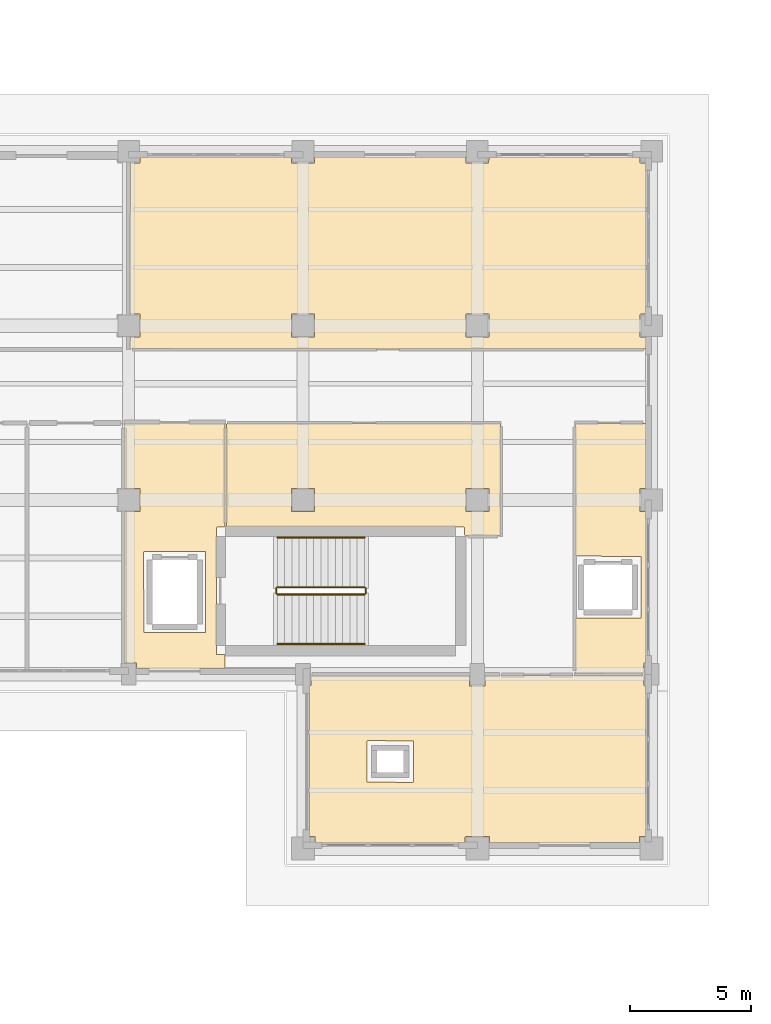
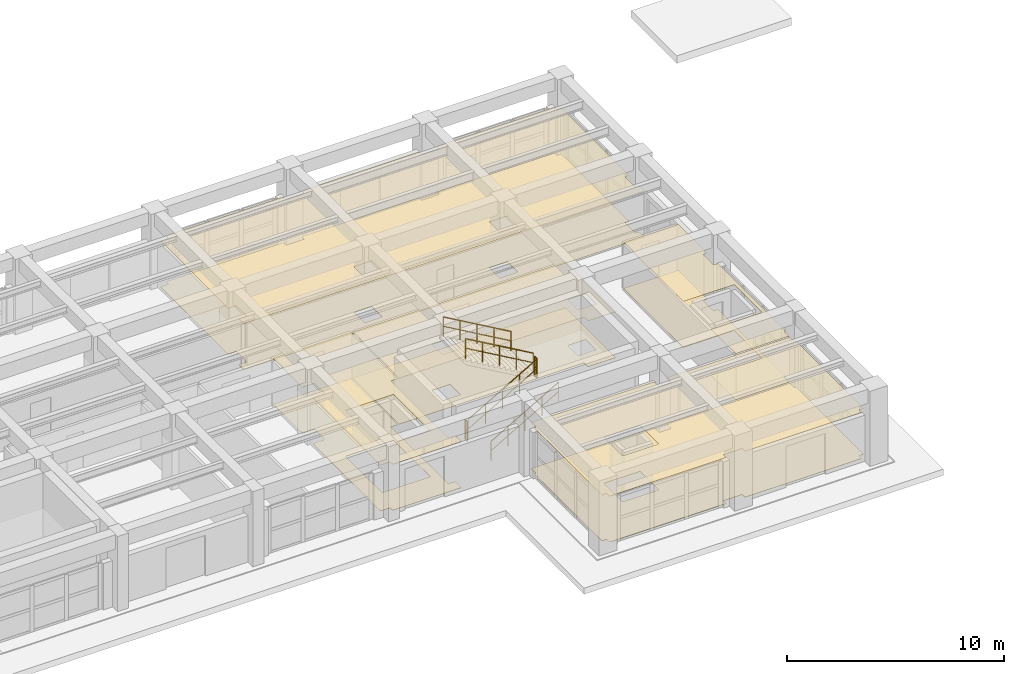
# One storey, part 64 of 64: 10 coverings, 6 railings.
"""IFC4 building model written with IfcOpenShell, lengths in metres."""

from ifc_helpers import new_model, si_unit, direction, frame, origin, origin_2d, place, context, subcontext, project, spatial, polyline, circle, outline, extrude, material, layer, layer_set, type_object, element, save


model = new_model("IFC4")

# Units and contexts
model_context = context("Model", 3, precision=1e-05, world=origin(), true_north=direction((0.0, 1.0)))
body_context = subcontext(model_context, "Body", "Model", "MODEL_VIEW")
ifc_project = project(units=[si_unit("LENGTHUNIT", "METRE"), si_unit("AREAUNIT", "SQUARE_METRE"), si_unit("VOLUMEUNIT", "CUBIC_METRE"), si_unit("PLANEANGLEUNIT", "RADIAN"), si_unit("MASSUNIT", "GRAM", prefix="KILO")], contexts=[model_context])

# Site, building, storey
site_placement = place(None, origin())
site = spatial("IfcSite", under=ifc_project, at=site_placement, CompositionType="ELEMENT")
building_placement = place(site_placement, origin())
building = spatial("IfcBuilding", under=site, at=building_placement, Name="Solenvale Faculty of Natural Sciences", CompositionType="ELEMENT")
storey_placement = place(building_placement, origin())
storey = spatial("IfcBuildingStorey", under=building, at=storey_placement, Name="L00", CompositionType="ELEMENT", Elevation=0.0)

# Coverings
ifc_material_1 = material(Name="Acoustic mineral-timber ceiling", Category="wood")
ifc_layer_1 = layer(ifc_material_1, 0.02490234375)
ifc_layer_set_1 = layer_set([ifc_layer_1], Name="Acoustic mineral-timber ceiling")
covering_type_1 = type_object("IfcCoveringType", Name="COV-CEIL-AC25", PredefinedType="CEILING", material=ifc_layer_set_1)
covering_1_placement = place(storey_placement, frame((0.0, 0.0, 2.574951171875)))
element("IfcCovering", 1, at=covering_1_placement, inside=storey, type_object=covering_type_1, Name="L00 Firefighting Lobby C5 Acoustic Ceiling", PredefinedType="CEILING", context=body_context, shape_type="SweptSolid", body=[
    extrude(outline(polyline([(133.580078125, 99.7099609375), (133.552978515625, 99.679931640625), (133.2451171875, 99.679931640625), (133.219970703125, 99.64990234375), (133.219970703125, 94.447998046875), (133.24609375, 94.419921875), (133.550048828125, 94.419921875), (133.575927734375, 94.404052734375), (133.574951171875, 93.85302734375), (133.550048828125, 93.840087890625), (129.951904296875, 93.840087890625), (129.925048828125, 93.866943359375), (129.9189453125, 94.073974609375), (129.43310546875, 94.080078125), (129.419921875, 94.10498046875), (129.419921875, 100.298095703125), (129.449951171875, 100.324951171875), (130.072998046875, 100.3291015625), (130.074951171875, 101.263916015625), (130.06396484375, 101.27490234375), (129.447021484375, 101.27490234375), (129.4208984375, 101.299072265625), (129.419921875, 103.949951171875), (129.428955078125, 103.970947265625), (129.449951171875, 103.97998046875), (133.550048828125, 103.97998046875), (133.571044921875, 103.970947265625), (133.580078125, 103.949951171875), (133.580078125, 99.7099609375)]), holes=[polyline([(132.751953125, 95.320068359375), (132.77197265625, 95.330078125), (132.780029296875, 95.35009765625), (132.77392578125, 98.66796875), (132.75, 98.679931640625), (130.23193359375, 98.674072265625), (130.219970703125, 98.64990234375), (130.22607421875, 95.33203125), (130.25, 95.320068359375), (132.751953125, 95.320068359375)])]), origin(), (0.0, 0.0, 1.0), 0.025146484375),
])
covering_2_placement = place(storey_placement, frame((0.0, 0.0, 2.574951171875)))
element("IfcCovering", 2, at=covering_2_placement, inside=storey, type_object=covering_type_1, Name="L00 Faculty Administration Office Acoustic Ceiling", PredefinedType="CEILING", context=body_context, shape_type="SweptSolid", body=[
    extrude(outline(polyline([(136.294921875, 114.9599609375), (136.323974609375, 114.93603515625), (136.324951171875, 114.73388671875), (136.3359375, 114.72509765625), (137.26708984375, 114.72509765625), (137.27587890625, 114.93603515625), (137.304931640625, 114.9599609375), (143.4951171875, 114.9599609375), (143.52392578125, 114.93603515625), (143.52490234375, 114.73388671875), (143.535888671875, 114.72509765625), (144.467041015625, 114.72509765625), (144.47607421875, 114.93603515625), (144.5048828125, 114.9599609375), (150.708984375, 114.9560546875), (150.72509765625, 114.93310546875), (150.72802734375, 114.72802734375), (150.93310546875, 114.72509765625), (150.9599609375, 114.695068359375), (150.9599609375, 108.5048828125), (150.93603515625, 108.47607421875), (150.73388671875, 108.47509765625), (150.72509765625, 108.464111328125), (150.72509765625, 107.532958984375), (150.93310546875, 107.52490234375), (150.9560546875, 107.509033203125), (150.9560546875, 107.055908203125), (150.929931640625, 107.0400390625), (129.65087890625, 107.047119140625), (129.639892578125, 107.070068359375), (129.64697265625, 107.513916015625), (129.669921875, 107.52490234375), (130.074951171875, 107.531982421875), (130.074951171875, 108.464111328125), (130.06396484375, 108.47509765625), (129.6669921875, 108.47509765625), (129.639892578125, 108.501953125), (129.64697265625, 114.714111328125), (129.669921875, 114.72509765625), (130.070068359375, 114.72607421875), (130.075927734375, 114.93603515625), (130.10498046875, 114.9599609375), (136.294921875, 114.9599609375)]), holes=[polyline([(143.535888671875, 108.47509765625), (143.52490234375, 108.464111328125), (143.528076171875, 107.528076171875), (144.471923828125, 107.528076171875), (144.471923828125, 108.471923828125), (143.535888671875, 108.47509765625)]), polyline([(137.27490234375, 108.464111328125), (137.263916015625, 108.47509765625), (136.327880859375, 108.471923828125), (136.327880859375, 107.528076171875), (137.27197265625, 107.528076171875), (137.27490234375, 108.464111328125)])]), origin(), (0.0, 0.0, 1.0), 0.025146484375),
])
covering_3_placement = place(storey_placement, frame((0.0, 0.0, 2.574951171875)))
element("IfcCovering", 3, at=covering_3_placement, inside=storey, type_object=covering_type_1, Name="L00 Building Electrical and Telecom Closet Acoustic Ceiling", PredefinedType="CEILING", context=body_context, shape_type="SweptSolid", body=[
    extrude(outline(polyline([(144.929931640625, 103.9599609375), (144.950927734375, 103.950927734375), (144.9599609375, 103.929931640625), (144.9599609375, 99.35009765625), (144.94091796875, 99.322021484375), (143.50390625, 99.321044921875), (143.47998046875, 99.346923828125), (143.47998046875, 99.654052734375), (143.450927734375, 99.679931640625), (133.669921875, 99.679931640625), (133.64208984375, 99.698974609375), (133.639892578125, 103.929931640625), (133.658935546875, 103.9580078125), (144.929931640625, 103.9599609375)]), holes=[polyline([(144.47509765625, 101.263916015625), (144.464111328125, 101.27490234375), (143.528076171875, 101.27197265625), (143.528076171875, 100.327880859375), (144.471923828125, 100.327880859375), (144.47509765625, 101.263916015625)]), polyline([(136.3359375, 101.27490234375), (136.324951171875, 101.263916015625), (136.327880859375, 100.327880859375), (137.27197265625, 100.327880859375), (137.27197265625, 101.27197265625), (136.3359375, 101.27490234375)])]), origin(), (0.0, 0.0, 1.0), 0.025146484375),
])
covering_4_placement = place(storey_placement, frame((0.0, 0.0, 2.574951171875)))
element("IfcCovering", 4, at=covering_4_placement, inside=storey, type_object=covering_type_1, Name="L00 Elevator Lobby Acoustic Ceiling", PredefinedType="CEILING", context=body_context, shape_type="SweptSolid", body=[
    extrude(outline(polyline([(148.0400390625, 95.889892578125), (148.049072265625, 95.910888671875), (148.070068359375, 95.919921875), (150.72509765625, 95.919921875), (150.7470703125, 95.929931640625), (150.7548828125, 95.949951171875), (150.7548828125, 98.449951171875), (150.7451171875, 98.471923828125), (148.070068359375, 98.47998046875), (148.041015625, 98.5009765625), (148.0419921875, 103.94091796875), (148.070068359375, 103.9599609375), (150.94091796875, 103.9580078125), (150.9599609375, 103.929931640625), (150.9599609375, 101.302001953125), (150.93603515625, 101.27587890625), (150.73388671875, 101.27490234375), (150.72509765625, 101.263916015625), (150.72509765625, 100.3330078125), (150.93603515625, 100.323974609375), (150.9599609375, 100.294921875), (150.9599609375, 94.10498046875), (150.94091796875, 94.076904296875), (150.875, 94.06689453125), (150.867919921875, 93.631103515625), (150.844970703125, 93.6201171875), (148.051025390625, 93.626953125), (148.0400390625, 93.64990234375), (148.0400390625, 95.889892578125)])), origin(), (0.0, 0.0, 1.0), 0.025146484375),
])
covering_5_placement = place(storey_placement, frame((0.0, 0.0, 2.574951171875)))
element("IfcCovering", 5, at=covering_5_placement, inside=storey, type_object=covering_type_1, Name="L00 Seminar Room Acoustic Ceiling", PredefinedType="CEILING", context=body_context, shape_type="SweptSolid", body=[
    extrude(outline(polyline([(144.950927734375, 93.580078125), (145.0, 93.56005859375), (150.844970703125, 93.56005859375), (150.867919921875, 93.549072265625), (150.875, 93.133056640625), (150.94091796875, 93.123046875), (150.9599609375, 93.094970703125), (150.9599609375, 86.929931640625), (150.93310546875, 86.89990234375), (150.702880859375, 86.89697265625), (150.699951171875, 86.6669921875), (150.68896484375, 86.64697265625), (144.530029296875, 86.639892578125), (144.5, 86.6669921875), (144.492919921875, 86.89990234375), (143.510986328125, 86.89990234375), (143.5, 86.888916015625), (143.4990234375, 86.6640625), (143.469970703125, 86.639892578125), (137.330078125, 86.639892578125), (137.300048828125, 86.6669921875), (137.297119140625, 86.89697265625), (137.06689453125, 86.89990234375), (137.047119140625, 86.910888671875), (137.0400390625, 93.094970703125), (137.05908203125, 93.123046875), (137.125, 93.133056640625), (137.125, 93.550048828125), (137.135986328125, 93.572998046875), (143.64794921875, 93.580078125), (143.675048828125, 93.552978515625), (143.678955078125, 93.126953125), (144.31396484375, 93.125), (144.324951171875, 93.135986328125), (144.324951171875, 93.552978515625), (144.337890625, 93.574951171875), (144.950927734375, 93.580078125)]), holes=[polyline([(141.33203125, 89.139892578125), (141.35205078125, 89.14990234375), (141.360107421875, 89.169921875), (141.360107421875, 90.830078125), (141.35009765625, 90.85205078125), (139.469970703125, 90.860107421875), (139.447998046875, 90.85009765625), (139.43994140625, 89.169921875), (139.449951171875, 89.14794921875), (141.33203125, 89.139892578125)])]), origin(), (0.0, 0.0, 1.0), 0.025146484375),
])
ifc_material_2 = material(Name="Polished slate terrazzo flooring", Category="masonry")
ifc_layer_2 = layer(ifc_material_2, 0.01806640625)
ifc_layer_set_2 = layer_set([ifc_layer_2], Name="Polished slate terrazzo flooring")
covering_type_2 = type_object("IfcCoveringType", Name="COV-FLR-TRZ18", PredefinedType="FLOORING", material=ifc_layer_set_2)
covering_6_placement = place(storey_placement, origin())
element("IfcCovering", 6, at=covering_6_placement, inside=storey, type_object=covering_type_2, Name="L00 Firefighting Lobby C5 Floor Finish", PredefinedType="FLOORING", context=body_context, shape_type="SweptSolid", body=[
    extrude(outline(polyline([(133.580078125, 99.7099609375), (133.552978515625, 99.679931640625), (133.2451171875, 99.679931640625), (133.219970703125, 99.64990234375), (133.219970703125, 94.447998046875), (133.24609375, 94.419921875), (133.550048828125, 94.419921875), (133.575927734375, 94.404052734375), (133.574951171875, 93.85302734375), (133.550048828125, 93.840087890625), (129.951904296875, 93.840087890625), (129.925048828125, 93.866943359375), (129.9189453125, 94.073974609375), (129.43310546875, 94.080078125), (129.419921875, 94.10498046875), (129.419921875, 100.298095703125), (129.449951171875, 100.324951171875), (130.072998046875, 100.3291015625), (130.074951171875, 101.263916015625), (130.06396484375, 101.27490234375), (129.447021484375, 101.27490234375), (129.4208984375, 101.299072265625), (129.419921875, 103.949951171875), (129.428955078125, 103.970947265625), (129.449951171875, 103.97998046875), (133.550048828125, 103.97998046875), (133.571044921875, 103.970947265625), (133.580078125, 103.949951171875), (133.580078125, 99.7099609375)]), holes=[polyline([(132.751953125, 95.320068359375), (132.77197265625, 95.330078125), (132.780029296875, 95.35009765625), (132.77392578125, 98.66796875), (132.75, 98.679931640625), (130.23193359375, 98.674072265625), (130.219970703125, 98.64990234375), (130.22607421875, 95.33203125), (130.25, 95.320068359375), (132.751953125, 95.320068359375)])]), origin(), (0.0, 0.0, 1.0), 0.01806640625),
])
covering_7_placement = place(storey_placement, origin())
element("IfcCovering", 7, at=covering_7_placement, inside=storey, type_object=covering_type_2, Name="L00 Faculty Administration Office Floor Finish", PredefinedType="FLOORING", context=body_context, shape_type="SweptSolid", body=[
    extrude(outline(polyline([(136.294921875, 114.9599609375), (136.323974609375, 114.93603515625), (136.324951171875, 114.73388671875), (136.3359375, 114.72509765625), (137.26708984375, 114.72509765625), (137.27587890625, 114.93603515625), (137.304931640625, 114.9599609375), (143.4951171875, 114.9599609375), (143.52392578125, 114.93603515625), (143.52490234375, 114.73388671875), (143.535888671875, 114.72509765625), (144.467041015625, 114.72509765625), (144.47607421875, 114.93603515625), (144.5048828125, 114.9599609375), (150.708984375, 114.9560546875), (150.72509765625, 114.93310546875), (150.72802734375, 114.72802734375), (150.93310546875, 114.72509765625), (150.9599609375, 114.695068359375), (150.9599609375, 108.5048828125), (150.93603515625, 108.47607421875), (150.73388671875, 108.47509765625), (150.72509765625, 108.464111328125), (150.72509765625, 107.532958984375), (150.93310546875, 107.52490234375), (150.9560546875, 107.509033203125), (150.9560546875, 107.055908203125), (150.929931640625, 107.0400390625), (129.65087890625, 107.047119140625), (129.639892578125, 107.070068359375), (129.64697265625, 107.513916015625), (129.669921875, 107.52490234375), (130.074951171875, 107.531982421875), (130.074951171875, 108.464111328125), (130.06396484375, 108.47509765625), (129.6669921875, 108.47509765625), (129.639892578125, 108.501953125), (129.64697265625, 114.714111328125), (129.669921875, 114.72509765625), (130.070068359375, 114.72607421875), (130.075927734375, 114.93603515625), (130.10498046875, 114.9599609375), (136.294921875, 114.9599609375)]), holes=[polyline([(143.535888671875, 108.47509765625), (143.52490234375, 108.464111328125), (143.528076171875, 107.528076171875), (144.471923828125, 107.528076171875), (144.471923828125, 108.471923828125), (143.535888671875, 108.47509765625)]), polyline([(137.27490234375, 108.464111328125), (137.263916015625, 108.47509765625), (136.327880859375, 108.471923828125), (136.327880859375, 107.528076171875), (137.27197265625, 107.528076171875), (137.27490234375, 108.464111328125)])]), origin(), (0.0, 0.0, 1.0), 0.01806640625),
])
covering_8_placement = place(storey_placement, origin())
element("IfcCovering", 8, at=covering_8_placement, inside=storey, type_object=covering_type_2, Name="L00 Building Electrical and Telecom Closet Floor Finish", PredefinedType="FLOORING", context=body_context, shape_type="SweptSolid", body=[
    extrude(outline(polyline([(144.929931640625, 103.9599609375), (144.950927734375, 103.950927734375), (144.9599609375, 103.929931640625), (144.9599609375, 99.35009765625), (144.94091796875, 99.322021484375), (143.50390625, 99.321044921875), (143.47998046875, 99.346923828125), (143.47998046875, 99.654052734375), (143.450927734375, 99.679931640625), (133.669921875, 99.679931640625), (133.64208984375, 99.698974609375), (133.639892578125, 103.929931640625), (133.658935546875, 103.9580078125), (144.929931640625, 103.9599609375)]), holes=[polyline([(144.47509765625, 101.263916015625), (144.464111328125, 101.27490234375), (143.528076171875, 101.27197265625), (143.528076171875, 100.327880859375), (144.471923828125, 100.327880859375), (144.47509765625, 101.263916015625)]), polyline([(136.3359375, 101.27490234375), (136.324951171875, 101.263916015625), (136.327880859375, 100.327880859375), (137.27197265625, 100.327880859375), (137.27197265625, 101.27197265625), (136.3359375, 101.27490234375)])]), origin(), (0.0, 0.0, 1.0), 0.01806640625),
])
covering_9_placement = place(storey_placement, origin())
element("IfcCovering", 9, at=covering_9_placement, inside=storey, type_object=covering_type_2, Name="L00 Elevator Lobby Floor Finish", PredefinedType="FLOORING", context=body_context, shape_type="SweptSolid", body=[
    extrude(outline(polyline([(148.0400390625, 95.889892578125), (148.049072265625, 95.910888671875), (148.070068359375, 95.919921875), (150.72509765625, 95.919921875), (150.7470703125, 95.929931640625), (150.7548828125, 95.949951171875), (150.7548828125, 98.449951171875), (150.7451171875, 98.471923828125), (148.070068359375, 98.47998046875), (148.041015625, 98.5009765625), (148.0419921875, 103.94091796875), (148.070068359375, 103.9599609375), (150.94091796875, 103.9580078125), (150.9599609375, 103.929931640625), (150.9599609375, 101.302001953125), (150.93603515625, 101.27587890625), (150.73388671875, 101.27490234375), (150.72509765625, 101.263916015625), (150.72509765625, 100.3330078125), (150.93603515625, 100.323974609375), (150.9599609375, 100.294921875), (150.9599609375, 94.10498046875), (150.94091796875, 94.076904296875), (150.875, 94.06689453125), (150.867919921875, 93.631103515625), (150.844970703125, 93.6201171875), (148.051025390625, 93.626953125), (148.0400390625, 93.64990234375), (148.0400390625, 95.889892578125)])), origin(), (0.0, 0.0, 1.0), 0.01806640625),
])
covering_10_placement = place(storey_placement, origin())
element("IfcCovering", 10, at=covering_10_placement, inside=storey, type_object=covering_type_2, Name="L00 Seminar Room Floor Finish", PredefinedType="FLOORING", context=body_context, shape_type="SweptSolid", body=[
    extrude(outline(polyline([(144.950927734375, 93.580078125), (145.0, 93.56005859375), (150.844970703125, 93.56005859375), (150.867919921875, 93.549072265625), (150.875, 93.133056640625), (150.94091796875, 93.123046875), (150.9599609375, 93.094970703125), (150.9599609375, 86.929931640625), (150.93310546875, 86.89990234375), (150.702880859375, 86.89697265625), (150.699951171875, 86.6669921875), (150.68896484375, 86.64697265625), (144.530029296875, 86.639892578125), (144.5, 86.6669921875), (144.492919921875, 86.89990234375), (143.510986328125, 86.89990234375), (143.5, 86.888916015625), (143.4990234375, 86.6640625), (143.469970703125, 86.639892578125), (137.330078125, 86.639892578125), (137.300048828125, 86.6669921875), (137.297119140625, 86.89697265625), (137.06689453125, 86.89990234375), (137.047119140625, 86.910888671875), (137.0400390625, 93.094970703125), (137.05908203125, 93.123046875), (137.125, 93.133056640625), (137.125, 93.550048828125), (137.135986328125, 93.572998046875), (143.64794921875, 93.580078125), (143.675048828125, 93.552978515625), (143.678955078125, 93.126953125), (144.31396484375, 93.125), (144.324951171875, 93.135986328125), (144.324951171875, 93.552978515625), (144.337890625, 93.574951171875), (144.950927734375, 93.580078125)]), holes=[polyline([(141.33203125, 89.139892578125), (141.35205078125, 89.14990234375), (141.360107421875, 89.169921875), (141.360107421875, 90.830078125), (141.35009765625, 90.85205078125), (139.469970703125, 90.860107421875), (139.447998046875, 90.85009765625), (139.43994140625, 89.169921875), (139.449951171875, 89.14794921875), (141.33203125, 89.139892578125)])]), origin(), (0.0, 0.0, 1.0), 0.01806640625),
])

# Railings
ifc_material_3 = material(Name="Stainless steel Grade 304", Category="steel")
railing_type_1 = type_object("IfcRailingType", Name="RL-GRD-1100", PredefinedType="GUARDRAIL", material=ifc_material_3)
railing_1_placement = place(storey_placement, frame((135.739990234375, 96.89990234375, 0.173095703125)))
element("IfcRailing", 11, at=railing_1_placement, inside=storey, type_object=railing_type_1, Name="L00 ST-05 stair guard 1", PredefinedType="GUARDRAIL", context=body_context, shape_type="SweptSolid", body=[
    extrude(circle(Radius=0.02392578125, at=origin_2d()), frame((0.0, 0.0, 1.09619140625), z_axis=(0.866193409371, 0.0, 0.499708892819), x_axis=(0.0, 1.0, 0.0)), (0.0, 0.0, 1.0), 4.15625),
    extrude(circle(Radius=0.01611328125, at=origin_2d()), frame((0.0, 0.0, 0.56005859375), z_axis=(0.866193409371, 0.0, 0.499708892819), x_axis=(0.0, 1.0, 0.0)), (0.0, 0.0, 1.0), 4.15625),
    extrude(circle(Radius=0.02099609375, at=origin_2d()), origin(), (0.0, 0.0, 1.0), 1.072021484375),
    extrude(circle(Radius=0.02099609375, at=origin_2d()), frame((0.89990234375, 0.0, 0.519287109375)), (0.0, 0.0, 1.0), 1.072021484375),
    extrude(circle(Radius=0.02099609375, at=origin_2d()), frame((1.800048828125, 0.0, 1.03857421875)), (0.0, 0.0, 1.0), 1.072021484375),
    extrude(circle(Radius=0.02099609375, at=origin_2d()), frame((2.7001953125, 0.0, 1.5576171875)), (0.0, 0.0, 1.0), 1.072021484375),
    extrude(circle(Radius=0.02099609375, at=origin_2d()), frame((3.60009765625, 0.0, 2.076904296875)), (0.0, 0.0, 1.0), 1.072021484375),
])
railing_2_placement = place(storey_placement, frame((139.389892578125, 96.949951171875, 2.25)))
element("IfcRailing", 12, at=railing_2_placement, inside=storey, type_object=railing_type_1, Name="L00 ST-05 stair guard 2", PredefinedType="GUARDRAIL", context=body_context, shape_type="SweptSolid", body=[
    extrude(circle(Radius=0.02392578125, at=origin_2d()), frame((0.0, 0.0, 1.09619140625), z_axis=(0.0, 1.0, 0.0), x_axis=(-1.0, 0.0, 0.0)), (0.0, 0.0, 1.0), 0.199951171875),
    extrude(circle(Radius=0.01611328125, at=origin_2d()), frame((0.0, 0.0, 0.56005859375), z_axis=(0.0, 1.0, 0.0), x_axis=(-1.0, 0.0, 0.0)), (0.0, 0.0, 1.0), 0.199951171875),
    extrude(circle(Radius=0.02099609375, at=origin_2d()), origin(), (0.0, 0.0, 1.0), 1.072021484375),
    extrude(circle(Radius=0.02099609375, at=origin_2d()), frame((0.0, 0.199951171875, 0.0)), (0.0, 0.0, 1.0), 1.072021484375),
])
railing_3_placement = place(storey_placement, frame((139.340087890625, 97.199951171875, 2.423095703125)))
element("IfcRailing", 13, at=railing_3_placement, inside=storey, type_object=railing_type_1, Name="L00 ST-05 stair guard 3", PredefinedType="GUARDRAIL", context=body_context, shape_type="SweptSolid", body=[
    extrude(circle(Radius=0.02392578125, at=origin_2d()), frame((0.0, 0.0, 1.09619140625), z_axis=(-0.866193409371, 0.0, 0.499708892819), x_axis=(0.0, -1.0, 0.0)), (0.0, 0.0, 1.0), 4.15625),
    extrude(circle(Radius=0.01611328125, at=origin_2d()), frame((0.0, 0.0, 0.56005859375), z_axis=(-0.866193409371, 0.0, 0.499708892819), x_axis=(0.0, -1.0, 0.0)), (0.0, 0.0, 1.0), 4.15625),
    extrude(circle(Radius=0.02099609375, at=origin_2d()), origin(), (0.0, 0.0, 1.0), 1.072021484375),
    extrude(circle(Radius=0.02099609375, at=origin_2d()), frame((-0.89990234375, 0.0, 0.519287109375)), (0.0, 0.0, 1.0), 1.072021484375),
    extrude(circle(Radius=0.02099609375, at=origin_2d()), frame((-1.800048828125, 0.0, 1.03857421875)), (0.0, 0.0, 1.0), 1.072021484375),
    extrude(circle(Radius=0.02099609375, at=origin_2d()), frame((-2.7001953125, 0.0, 1.5576171875)), (0.0, 0.0, 1.0), 1.072021484375),
    extrude(circle(Radius=0.02099609375, at=origin_2d()), frame((-3.60009765625, 0.0, 2.076904296875)), (0.0, 0.0, 1.0), 1.072021484375),
])
railing_4_placement = place(storey_placement, frame((135.68994140625, 96.949951171875, 0.0)))
element("IfcRailing", 14, at=railing_4_placement, inside=storey, type_object=railing_type_1, Name="L00 ST-05 stair guard 4", PredefinedType="GUARDRAIL", context=body_context, shape_type="SweptSolid", body=[
    extrude(circle(Radius=0.02392578125, at=origin_2d()), frame((0.0, 0.0, 1.09619140625), z_axis=(0.0, 1.0, 0.0), x_axis=(-1.0, 0.0, 0.0)), (0.0, 0.0, 1.0), 0.199951171875),
    extrude(circle(Radius=0.01611328125, at=origin_2d()), frame((0.0, 0.0, 0.56005859375), z_axis=(0.0, 1.0, 0.0), x_axis=(-1.0, 0.0, 0.0)), (0.0, 0.0, 1.0), 0.199951171875),
    extrude(circle(Radius=0.02099609375, at=origin_2d()), origin(), (0.0, 0.0, 1.0), 1.072021484375),
    extrude(circle(Radius=0.02099609375, at=origin_2d()), frame((0.0, 0.199951171875, 0.0)), (0.0, 0.0, 1.0), 1.072021484375),
])
railing_type_2 = type_object("IfcRailingType", Name="RL-HND-900", PredefinedType="HANDRAIL", material=ifc_material_3)
railing_5_placement = place(storey_placement, frame((135.739990234375, 94.85009765625, 0.173095703125)))
element("IfcRailing", 15, at=railing_5_placement, inside=storey, type_object=railing_type_2, Name="L00 ST-05 stair handrail 1", PredefinedType="HANDRAIL", context=body_context, shape_type="SweptSolid", body=[
    extrude(circle(Radius=0.02392578125, at=origin_2d()), frame((0.0, 0.0, 1.0732421875), z_axis=(0.866193409371, 0.0, 0.499708892819), x_axis=(0.0, 1.0, 0.0)), (0.0, 0.0, 1.0), 4.15625),
    extrude(circle(Radius=0.01611328125, at=origin_2d()), frame((0.0, 0.0, 0.548583984375), z_axis=(0.866193409371, 0.0, 0.499708892819), x_axis=(0.0, 1.0, 0.0)), (0.0, 0.0, 1.0), 4.15625),
    extrude(circle(Radius=0.02099609375, at=origin_2d()), origin(), (0.0, 0.0, 1.0), 1.049072265625),
    extrude(circle(Radius=0.02099609375, at=origin_2d()), frame((0.89990234375, 0.0, 0.519287109375)), (0.0, 0.0, 1.0), 1.049072265625),
    extrude(circle(Radius=0.02099609375, at=origin_2d()), frame((1.800048828125, 0.0, 1.03857421875)), (0.0, 0.0, 1.0), 1.049072265625),
    extrude(circle(Radius=0.02099609375, at=origin_2d()), frame((2.7001953125, 0.0, 1.5576171875)), (0.0, 0.0, 1.0), 1.049072265625),
    extrude(circle(Radius=0.02099609375, at=origin_2d()), frame((3.60009765625, 0.0, 2.076904296875)), (0.0, 0.0, 1.0), 1.049072265625),
])
railing_6_placement = place(storey_placement, frame((139.340087890625, 99.25, 2.423095703125)))
element("IfcRailing", 16, at=railing_6_placement, inside=storey, type_object=railing_type_2, Name="L00 ST-05 stair handrail 2", PredefinedType="HANDRAIL", context=body_context, shape_type="SweptSolid", body=[
    extrude(circle(Radius=0.02392578125, at=origin_2d()), frame((0.0, 0.0, 1.0732421875), z_axis=(-0.866193409371, 0.0, 0.499708892819), x_axis=(0.0, -1.0, 0.0)), (0.0, 0.0, 1.0), 4.15625),
    extrude(circle(Radius=0.01611328125, at=origin_2d()), frame((0.0, 0.0, 0.548583984375), z_axis=(-0.866193409371, 0.0, 0.499708892819), x_axis=(0.0, -1.0, 0.0)), (0.0, 0.0, 1.0), 4.15625),
    extrude(circle(Radius=0.02099609375, at=origin_2d()), origin(), (0.0, 0.0, 1.0), 1.049072265625),
    extrude(circle(Radius=0.02099609375, at=origin_2d()), frame((-0.89990234375, 0.0, 0.519287109375)), (0.0, 0.0, 1.0), 1.049072265625),
    extrude(circle(Radius=0.02099609375, at=origin_2d()), frame((-1.800048828125, 0.0, 1.03857421875)), (0.0, 0.0, 1.0), 1.049072265625),
    extrude(circle(Radius=0.02099609375, at=origin_2d()), frame((-2.7001953125, 0.0, 1.5576171875)), (0.0, 0.0, 1.0), 1.049072265625),
    extrude(circle(Radius=0.02099609375, at=origin_2d()), frame((-3.60009765625, 0.0, 2.076904296875)), (0.0, 0.0, 1.0), 1.049072265625),
])

save(model, "model.ifc")
